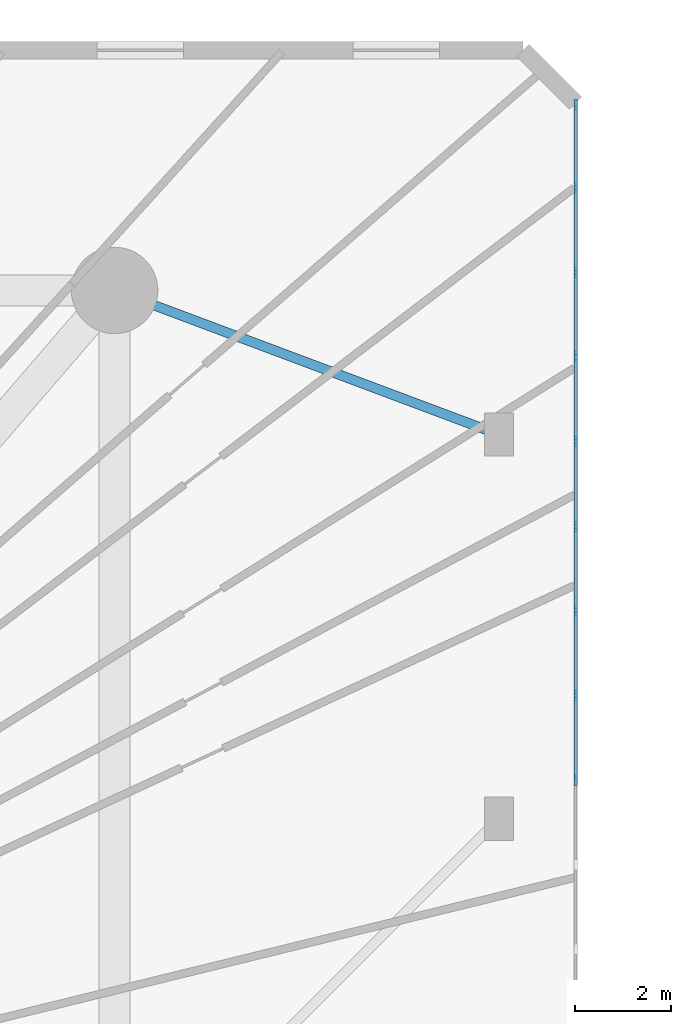
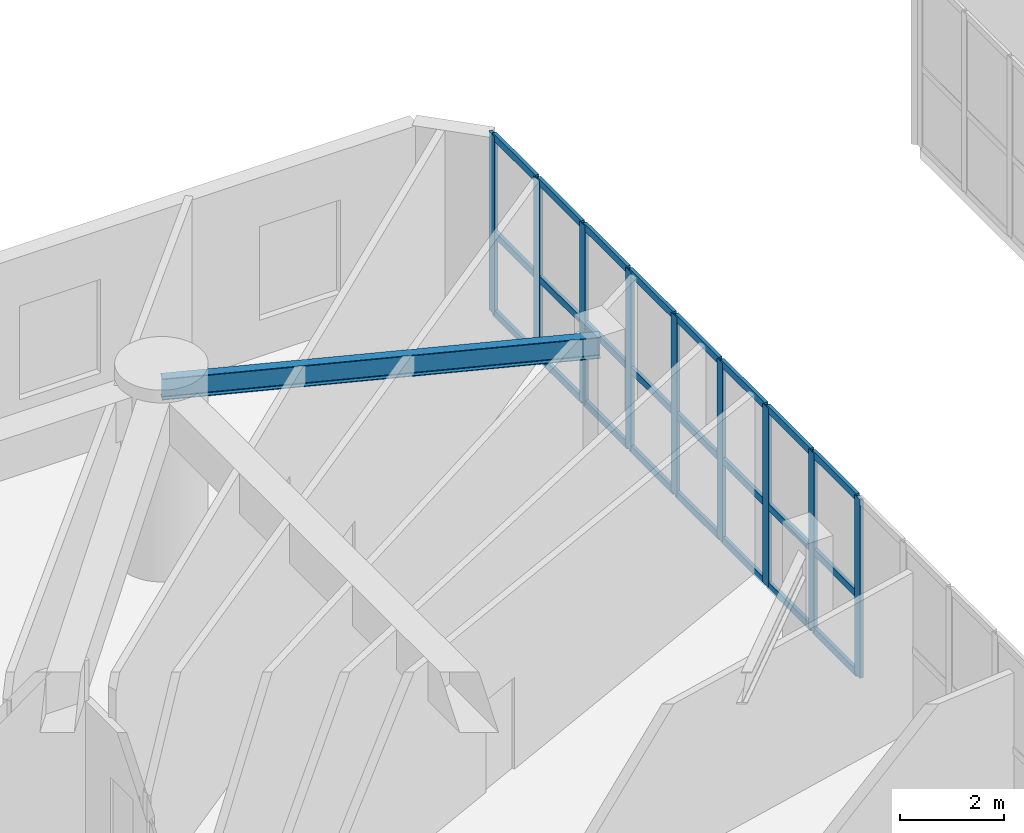
# One storey, part 5 of 26: 33 members, 1 beam, 1 element without a shape of its own.
"""IFC4 building model written with IfcOpenShell, lengths in metres."""

from ifc_helpers import new_model, si_unit, direction, frame, origin, origin_with_axes, origin_2d, place, context, subcontext, project, spatial, rectangle, i_section, extrude, source, transform, mapped, material, layer, layer_set, material_profile, profile_set, type_object, element, aggregate, save


model = new_model("IFC4")

# Units and contexts
model_context = context("Model", 3, precision=1e-05, world=origin(), true_north=direction((0.0, 1.0)))
body_context = subcontext(model_context, "Body", "Model", "MODEL_VIEW")
ifc_project = project(units=[si_unit("LENGTHUNIT", "METRE"), si_unit("AREAUNIT", "SQUARE_METRE"), si_unit("VOLUMEUNIT", "CUBIC_METRE"), si_unit("PLANEANGLEUNIT", "RADIAN"), si_unit("MASSUNIT", "GRAM", prefix="KILO")], contexts=[model_context])

# Site, building, storey
site_placement = place(None, origin())
site = spatial("IfcSite", under=ifc_project, at=site_placement, CompositionType="ELEMENT")
building_placement = place(site_placement, origin())
building = spatial("IfcBuilding", under=site, at=building_placement, Name="Karkom Vertical University and Central Library", CompositionType="ELEMENT")
storey_placement = place(building_placement, frame((0.0, 0.0, 4.5)))
storey = spatial("IfcBuildingStorey", under=building, at=storey_placement, Name="L01", CompositionType="ELEMENT", Elevation=4.5)

# Beam
ifc_material_1 = material(Name="Steel S355", Category="steel")
ifc_material_profile_1 = material_profile(ifc_material_1, i_section(OverallWidth=0.199951171875, OverallDepth=0.5, WebThickness=0.01025390625, FlangeThickness=0.01611328125, FilletRadius=0.02099609375, at=origin_2d()), Name="IPE 500")
ifc_profile_set_1 = profile_set([ifc_material_profile_1], Name="Steel S355")
beam_type = type_object("IfcBeamType", Name="STR-BM-SB-IPE500", PredefinedType="BEAM", material=ifc_profile_set_1)
shared_shape_1 = source(origin_with_axes(), body_context, "Body", "SweptSolid", [
    extrude(i_section(OverallWidth=0.199951171875, OverallDepth=0.5, WebThickness=0.01025390625, FlangeThickness=0.01611328125, FilletRadius=0.02099609375, at=origin_2d()), origin(), (0.0, 0.0, 1.0), 8.5439453125),
])
beam_placement = place(storey_placement, frame((46.800048828125, 45.5, 3.949951171875), z_axis=(0.936329177569, -0.351123441588, 0.0), x_axis=(0.351123441588, 0.936329177569, 0.0)))
element("IfcBeam", 1, at=beam_placement, inside=storey, type_object=beam_type, Name="Level 01 Arcade Tie Beam 4", PredefinedType="BEAM", context=body_context, shape_type="MappedRepresentation", body=[
    mapped(shared_shape_1, transform((0.0, 0.0, 0.0), scale=1.0)),
])

# Curtain wall, members
ifc_material_2 = material(Name="Aluminium curtain-wall framing and low-E IGU", Category="aluminium")
ifc_layer = layer(ifc_material_2, 0.199951171875)
ifc_layer_set = layer_set([ifc_layer], Name="Aluminium curtain-wall framing and low-E IGU")
curtain_wall_type = type_object("IfcCurtainWallType", Name="ENV-CW-3", PredefinedType="USERDEFINED", material=ifc_layer_set)
curtain_wall_placement = place(storey_placement, origin())
curtain_wall = element("IfcCurtainWall", 2, at=curtain_wall_placement, inside=storey, type_object=curtain_wall_type, Name="Level 01 CW-3 Curtain Wall Level 01-CW3-3-2", ObjectType="STICK MULLION GLAZING", PredefinedType="USERDEFINED")
ifc_material_3 = material(Name="Anodised Aluminium 6063-T6", Category="aluminium")
ifc_material_profile_2 = material_profile(ifc_material_3, rectangle(XDim=0.074951171875, YDim=0.219970703125, at=origin_2d()), Name="ALU-M75x220")
ifc_profile_set_2 = profile_set([ifc_material_profile_2], Name="Anodised Aluminium 6063-T6")
member_type_1 = type_object("IfcMemberType", Name="ENV-MEM-ALU-M75x220", PredefinedType="MULLION", material=ifc_profile_set_2)
shared_shape_2 = source(origin_with_axes(), body_context, "Body", "SweptSolid", [
    extrude(rectangle(XDim=0.074951171875, YDim=0.219970703125, at=origin_2d()), origin(), (0.0, 0.0, 1.0), 4.199951171875),
])
member_1_placement = place(storey_placement, frame((56.39990234375, 35.3076171875, 0.0), z_axis=(0.0, 0.0, 1.0), x_axis=(-1.0, 0.0, 0.0)))
member_1 = element("IfcMember", 3, at=member_1_placement, type_object=member_type_1, Name="CW-3 mullion 6", PredefinedType="MULLION", context=body_context, shape_type="MappedRepresentation", body=[
    mapped(shared_shape_2, transform((0.0, 0.0, 0.0), scale=1.0)),
])
member_2_placement = place(storey_placement, frame((56.39990234375, 37.0693359375, 0.0), z_axis=(0.0, 0.0, 1.0), x_axis=(-1.0, 0.0, 0.0)))
member_2 = element("IfcMember", 4, at=member_2_placement, type_object=member_type_1, Name="CW-3 mullion 7", PredefinedType="MULLION", context=body_context, shape_type="MappedRepresentation", body=[
    mapped(shared_shape_2, transform((0.0, 0.0, 0.0), scale=1.0)),
])
member_3_placement = place(storey_placement, frame((56.39990234375, 38.830810546875, 0.0), z_axis=(0.0, 0.0, 1.0), x_axis=(-1.0, 0.0, 0.0)))
member_3 = element("IfcMember", 5, at=member_3_placement, type_object=member_type_1, Name="CW-3 mullion 8", PredefinedType="MULLION", context=body_context, shape_type="MappedRepresentation", body=[
    mapped(shared_shape_2, transform((0.0, 0.0, 0.0), scale=1.0)),
])
member_4_placement = place(storey_placement, frame((56.39990234375, 40.59228515625, 0.0), z_axis=(0.0, 0.0, 1.0), x_axis=(-1.0, 0.0, 0.0)))
member_4 = element("IfcMember", 6, at=member_4_placement, type_object=member_type_1, Name="CW-3 mullion 9", PredefinedType="MULLION", context=body_context, shape_type="MappedRepresentation", body=[
    mapped(shared_shape_2, transform((0.0, 0.0, 0.0), scale=1.0)),
])
member_5_placement = place(storey_placement, frame((56.39990234375, 42.353759765625, 0.0), z_axis=(0.0, 0.0, 1.0), x_axis=(-1.0, 0.0, 0.0)))
member_5 = element("IfcMember", 7, at=member_5_placement, type_object=member_type_1, Name="CW-3 mullion 10", PredefinedType="MULLION", context=body_context, shape_type="MappedRepresentation", body=[
    mapped(shared_shape_2, transform((0.0, 0.0, 0.0), scale=1.0)),
])
member_6_placement = place(storey_placement, frame((56.39990234375, 44.115478515625, 0.0), z_axis=(0.0, 0.0, 1.0), x_axis=(-1.0, 0.0, 0.0)))
member_6 = element("IfcMember", 8, at=member_6_placement, type_object=member_type_1, Name="CW-3 mullion 11", PredefinedType="MULLION", context=body_context, shape_type="MappedRepresentation", body=[
    mapped(shared_shape_2, transform((0.0, 0.0, 0.0), scale=1.0)),
])
member_7_placement = place(storey_placement, frame((56.39990234375, 45.876953125, 0.0), z_axis=(0.0, 0.0, 1.0), x_axis=(-1.0, 0.0, 0.0)))
member_7 = element("IfcMember", 9, at=member_7_placement, type_object=member_type_1, Name="CW-3 mullion 12", PredefinedType="MULLION", context=body_context, shape_type="MappedRepresentation", body=[
    mapped(shared_shape_2, transform((0.0, 0.0, 0.0), scale=1.0)),
])
member_8_placement = place(storey_placement, frame((56.39990234375, 47.638427734375, 0.0), z_axis=(0.0, 0.0, 1.0), x_axis=(-1.0, 0.0, 0.0)))
member_8 = element("IfcMember", 10, at=member_8_placement, type_object=member_type_1, Name="CW-3 mullion 13", PredefinedType="MULLION", context=body_context, shape_type="MappedRepresentation", body=[
    mapped(shared_shape_2, transform((0.0, 0.0, 0.0), scale=1.0)),
])
member_9_placement = place(storey_placement, frame((56.39990234375, 49.362548828125, 0.0), z_axis=(0.0, 0.0, 1.0), x_axis=(-1.0, 0.0, 0.0)))
member_9 = element("IfcMember", 11, at=member_9_placement, type_object=member_type_1, Name="CW-3 mullion 14", PredefinedType="MULLION", context=body_context, shape_type="MappedRepresentation", body=[
    mapped(shared_shape_2, transform((0.0, 0.0, 0.0), scale=1.0)),
])
ifc_material_profile_3 = material_profile(ifc_material_3, rectangle(XDim=0.074951171875, YDim=0.1650390625, at=origin_2d()), Name="ALU-T75x165")
ifc_profile_set_3 = profile_set([ifc_material_profile_3], Name="Anodised Aluminium 6063-T6")
member_type_2 = type_object("IfcMemberType", Name="ENV-MEM-ALU-T75x165", PredefinedType="USERDEFINED", material=ifc_profile_set_3)
shared_shape_3 = source(origin_with_axes(), body_context, "Body", "SweptSolid", [
    extrude(rectangle(XDim=0.074951171875, YDim=0.1650390625, at=origin_2d()), origin(), (0.0, 0.0, 1.0), 1.64892578125),
])
member_10_placement = place(storey_placement, frame((56.39990234375, 47.676025390625, 0.03759765625), z_axis=(0.0, 1.0, 0.0), x_axis=(-1.0, 0.0, 0.0)))
member_10 = element("IfcMember", 12, at=member_10_placement, type_object=member_type_2, Name="CW-3 transom 13.1", ObjectType="TRANSOM", PredefinedType="USERDEFINED", context=body_context, shape_type="MappedRepresentation", body=[
    mapped(shared_shape_3, transform((0.0, 0.0, 0.0), scale=1.0)),
])
member_11_placement = place(storey_placement, frame((56.39990234375, 47.676025390625, 1.889892578125), z_axis=(0.0, 1.0, 0.0), x_axis=(-1.0, 0.0, 0.0)))
member_11 = element("IfcMember", 13, at=member_11_placement, type_object=member_type_2, Name="CW-3 transom 13.2", ObjectType="TRANSOM", PredefinedType="USERDEFINED", context=body_context, shape_type="MappedRepresentation", body=[
    mapped(shared_shape_3, transform((0.0, 0.0, 0.0), scale=1.0)),
])
member_12_placement = place(storey_placement, frame((56.39990234375, 47.676025390625, 4.16259765625), z_axis=(0.0, 1.0, 0.0), x_axis=(-1.0, 0.0, 0.0)))
member_12 = element("IfcMember", 14, at=member_12_placement, type_object=member_type_2, Name="CW-3 transom 13.3", ObjectType="TRANSOM", PredefinedType="USERDEFINED", context=body_context, shape_type="MappedRepresentation", body=[
    mapped(shared_shape_3, transform((0.0, 0.0, 0.0), scale=1.0)),
])
shared_shape_4 = source(origin_with_axes(), body_context, "Body", "SweptSolid", [
    extrude(rectangle(XDim=0.074951171875, YDim=0.1650390625, at=origin_2d()), origin(), (0.0, 0.0, 1.0), 1.686767578125),
])
member_13_placement = place(storey_placement, frame((56.39990234375, 45.914306640625, 0.03759765625), z_axis=(0.0, 1.0, 0.0), x_axis=(-1.0, 0.0, 0.0)))
member_13 = element("IfcMember", 15, at=member_13_placement, type_object=member_type_2, Name="CW-3 transom 12.1", ObjectType="TRANSOM", PredefinedType="USERDEFINED", context=body_context, shape_type="MappedRepresentation", body=[
    mapped(shared_shape_4, transform((0.0, 0.0, 0.0), scale=1.0)),
])
member_14_placement = place(storey_placement, frame((56.39990234375, 45.914306640625, 1.889892578125), z_axis=(0.0, 1.0, 0.0), x_axis=(-1.0, 0.0, 0.0)))
member_14 = element("IfcMember", 16, at=member_14_placement, type_object=member_type_2, Name="CW-3 transom 12.2", ObjectType="TRANSOM", PredefinedType="USERDEFINED", context=body_context, shape_type="MappedRepresentation", body=[
    mapped(shared_shape_4, transform((0.0, 0.0, 0.0), scale=1.0)),
])
member_15_placement = place(storey_placement, frame((56.39990234375, 45.914306640625, 4.16259765625), z_axis=(0.0, 1.0, 0.0), x_axis=(-1.0, 0.0, 0.0)))
member_15 = element("IfcMember", 17, at=member_15_placement, type_object=member_type_2, Name="CW-3 transom 12.3", ObjectType="TRANSOM", PredefinedType="USERDEFINED", context=body_context, shape_type="MappedRepresentation", body=[
    mapped(shared_shape_4, transform((0.0, 0.0, 0.0), scale=1.0)),
])
shared_shape_5 = source(origin_with_axes(), body_context, "Body", "SweptSolid", [
    extrude(rectangle(XDim=0.074951171875, YDim=0.1650390625, at=origin_2d()), origin(), (0.0, 0.0, 1.0), 1.6865234375),
])
member_16_placement = place(storey_placement, frame((56.39990234375, 35.34521484375, 0.03759765625), z_axis=(0.0, 1.0, 0.0), x_axis=(-1.0, 0.0, 0.0)))
member_16 = element("IfcMember", 18, at=member_16_placement, type_object=member_type_2, Name="CW-3 transom 6.1", ObjectType="TRANSOM", PredefinedType="USERDEFINED", context=body_context, shape_type="MappedRepresentation", body=[
    mapped(shared_shape_5, transform((0.0, 0.0, 0.0), scale=1.0)),
])
member_17_placement = place(storey_placement, frame((56.39990234375, 35.34521484375, 1.889892578125), z_axis=(0.0, 1.0, 0.0), x_axis=(-1.0, 0.0, 0.0)))
member_17 = element("IfcMember", 19, at=member_17_placement, type_object=member_type_2, Name="CW-3 transom 6.2", ObjectType="TRANSOM", PredefinedType="USERDEFINED", context=body_context, shape_type="MappedRepresentation", body=[
    mapped(shared_shape_5, transform((0.0, 0.0, 0.0), scale=1.0)),
])
member_18_placement = place(storey_placement, frame((56.39990234375, 35.34521484375, 4.16259765625), z_axis=(0.0, 1.0, 0.0), x_axis=(-1.0, 0.0, 0.0)))
member_18 = element("IfcMember", 20, at=member_18_placement, type_object=member_type_2, Name="CW-3 transom 6.3", ObjectType="TRANSOM", PredefinedType="USERDEFINED", context=body_context, shape_type="MappedRepresentation", body=[
    mapped(shared_shape_5, transform((0.0, 0.0, 0.0), scale=1.0)),
])
member_19_placement = place(storey_placement, frame((56.39990234375, 37.106689453125, 0.03759765625), z_axis=(0.0, 1.0, 0.0), x_axis=(-1.0, 0.0, 0.0)))
member_19 = element("IfcMember", 21, at=member_19_placement, type_object=member_type_2, Name="CW-3 transom 7.1", ObjectType="TRANSOM", PredefinedType="USERDEFINED", context=body_context, shape_type="MappedRepresentation", body=[
    mapped(shared_shape_5, transform((0.0, 0.0, 0.0), scale=1.0)),
])
member_20_placement = place(storey_placement, frame((56.39990234375, 37.106689453125, 1.889892578125), z_axis=(0.0, 1.0, 0.0), x_axis=(-1.0, 0.0, 0.0)))
member_20 = element("IfcMember", 22, at=member_20_placement, type_object=member_type_2, Name="CW-3 transom 7.2", ObjectType="TRANSOM", PredefinedType="USERDEFINED", context=body_context, shape_type="MappedRepresentation", body=[
    mapped(shared_shape_5, transform((0.0, 0.0, 0.0), scale=1.0)),
])
member_21_placement = place(storey_placement, frame((56.39990234375, 37.106689453125, 4.16259765625), z_axis=(0.0, 1.0, 0.0), x_axis=(-1.0, 0.0, 0.0)))
member_21 = element("IfcMember", 23, at=member_21_placement, type_object=member_type_2, Name="CW-3 transom 7.3", ObjectType="TRANSOM", PredefinedType="USERDEFINED", context=body_context, shape_type="MappedRepresentation", body=[
    mapped(shared_shape_5, transform((0.0, 0.0, 0.0), scale=1.0)),
])
member_22_placement = place(storey_placement, frame((56.39990234375, 38.8681640625, 0.03759765625), z_axis=(0.0, 1.0, 0.0), x_axis=(-1.0, 0.0, 0.0)))
member_22 = element("IfcMember", 24, at=member_22_placement, type_object=member_type_2, Name="CW-3 transom 8.1", ObjectType="TRANSOM", PredefinedType="USERDEFINED", context=body_context, shape_type="MappedRepresentation", body=[
    mapped(shared_shape_5, transform((0.0, 0.0, 0.0), scale=1.0)),
])
member_23_placement = place(storey_placement, frame((56.39990234375, 38.8681640625, 1.889892578125), z_axis=(0.0, 1.0, 0.0), x_axis=(-1.0, 0.0, 0.0)))
member_23 = element("IfcMember", 25, at=member_23_placement, type_object=member_type_2, Name="CW-3 transom 8.2", ObjectType="TRANSOM", PredefinedType="USERDEFINED", context=body_context, shape_type="MappedRepresentation", body=[
    mapped(shared_shape_5, transform((0.0, 0.0, 0.0), scale=1.0)),
])
member_24_placement = place(storey_placement, frame((56.39990234375, 38.8681640625, 4.16259765625), z_axis=(0.0, 1.0, 0.0), x_axis=(-1.0, 0.0, 0.0)))
member_24 = element("IfcMember", 26, at=member_24_placement, type_object=member_type_2, Name="CW-3 transom 8.3", ObjectType="TRANSOM", PredefinedType="USERDEFINED", context=body_context, shape_type="MappedRepresentation", body=[
    mapped(shared_shape_5, transform((0.0, 0.0, 0.0), scale=1.0)),
])
member_25_placement = place(storey_placement, frame((56.39990234375, 40.6298828125, 0.03759765625), z_axis=(0.0, 1.0, 0.0), x_axis=(-1.0, 0.0, 0.0)))
member_25 = element("IfcMember", 27, at=member_25_placement, type_object=member_type_2, Name="CW-3 transom 9.1", ObjectType="TRANSOM", PredefinedType="USERDEFINED", context=body_context, shape_type="MappedRepresentation", body=[
    mapped(shared_shape_5, transform((0.0, 0.0, 0.0), scale=1.0)),
])
member_26_placement = place(storey_placement, frame((56.39990234375, 40.6298828125, 1.889892578125), z_axis=(0.0, 1.0, 0.0), x_axis=(-1.0, 0.0, 0.0)))
member_26 = element("IfcMember", 28, at=member_26_placement, type_object=member_type_2, Name="CW-3 transom 9.2", ObjectType="TRANSOM", PredefinedType="USERDEFINED", context=body_context, shape_type="MappedRepresentation", body=[
    mapped(shared_shape_5, transform((0.0, 0.0, 0.0), scale=1.0)),
])
member_27_placement = place(storey_placement, frame((56.39990234375, 40.6298828125, 4.16259765625), z_axis=(0.0, 1.0, 0.0), x_axis=(-1.0, 0.0, 0.0)))
member_27 = element("IfcMember", 29, at=member_27_placement, type_object=member_type_2, Name="CW-3 transom 9.3", ObjectType="TRANSOM", PredefinedType="USERDEFINED", context=body_context, shape_type="MappedRepresentation", body=[
    mapped(shared_shape_5, transform((0.0, 0.0, 0.0), scale=1.0)),
])
member_28_placement = place(storey_placement, frame((56.39990234375, 42.391357421875, 0.03759765625), z_axis=(0.0, 1.0, 0.0), x_axis=(-1.0, 0.0, 0.0)))
member_28 = element("IfcMember", 30, at=member_28_placement, type_object=member_type_2, Name="CW-3 transom 10.1", ObjectType="TRANSOM", PredefinedType="USERDEFINED", context=body_context, shape_type="MappedRepresentation", body=[
    mapped(shared_shape_5, transform((0.0, 0.0, 0.0), scale=1.0)),
])
member_29_placement = place(storey_placement, frame((56.39990234375, 42.391357421875, 1.889892578125), z_axis=(0.0, 1.0, 0.0), x_axis=(-1.0, 0.0, 0.0)))
member_29 = element("IfcMember", 31, at=member_29_placement, type_object=member_type_2, Name="CW-3 transom 10.2", ObjectType="TRANSOM", PredefinedType="USERDEFINED", context=body_context, shape_type="MappedRepresentation", body=[
    mapped(shared_shape_5, transform((0.0, 0.0, 0.0), scale=1.0)),
])
member_30_placement = place(storey_placement, frame((56.39990234375, 42.391357421875, 4.16259765625), z_axis=(0.0, 1.0, 0.0), x_axis=(-1.0, 0.0, 0.0)))
member_30 = element("IfcMember", 32, at=member_30_placement, type_object=member_type_2, Name="CW-3 transom 10.3", ObjectType="TRANSOM", PredefinedType="USERDEFINED", context=body_context, shape_type="MappedRepresentation", body=[
    mapped(shared_shape_5, transform((0.0, 0.0, 0.0), scale=1.0)),
])
member_31_placement = place(storey_placement, frame((56.39990234375, 44.15283203125, 0.03759765625), z_axis=(0.0, 1.0, 0.0), x_axis=(-1.0, 0.0, 0.0)))
member_31 = element("IfcMember", 33, at=member_31_placement, type_object=member_type_2, Name="CW-3 transom 11.1", ObjectType="TRANSOM", PredefinedType="USERDEFINED", context=body_context, shape_type="MappedRepresentation", body=[
    mapped(shared_shape_5, transform((0.0, 0.0, 0.0), scale=1.0)),
])
member_32_placement = place(storey_placement, frame((56.39990234375, 44.15283203125, 1.889892578125), z_axis=(0.0, 1.0, 0.0), x_axis=(-1.0, 0.0, 0.0)))
member_32 = element("IfcMember", 34, at=member_32_placement, type_object=member_type_2, Name="CW-3 transom 11.2", ObjectType="TRANSOM", PredefinedType="USERDEFINED", context=body_context, shape_type="MappedRepresentation", body=[
    mapped(shared_shape_5, transform((0.0, 0.0, 0.0), scale=1.0)),
])
member_33_placement = place(storey_placement, frame((56.39990234375, 44.15283203125, 4.16259765625), z_axis=(0.0, 1.0, 0.0), x_axis=(-1.0, 0.0, 0.0)))
member_33 = element("IfcMember", 35, at=member_33_placement, type_object=member_type_2, Name="CW-3 transom 11.3", ObjectType="TRANSOM", PredefinedType="USERDEFINED", context=body_context, shape_type="MappedRepresentation", body=[
    mapped(shared_shape_5, transform((0.0, 0.0, 0.0), scale=1.0)),
])
aggregate(curtain_wall, [member_1, member_2, member_3, member_4, member_5, member_6, member_7, member_8, member_9, member_16, member_17, member_18, member_19, member_20, member_21, member_22, member_23, member_24, member_25, member_26, member_27, member_28, member_29, member_30, member_31, member_32, member_33, member_13, member_14, member_15, member_10, member_11, member_12])

save(model, "model.ifc")
